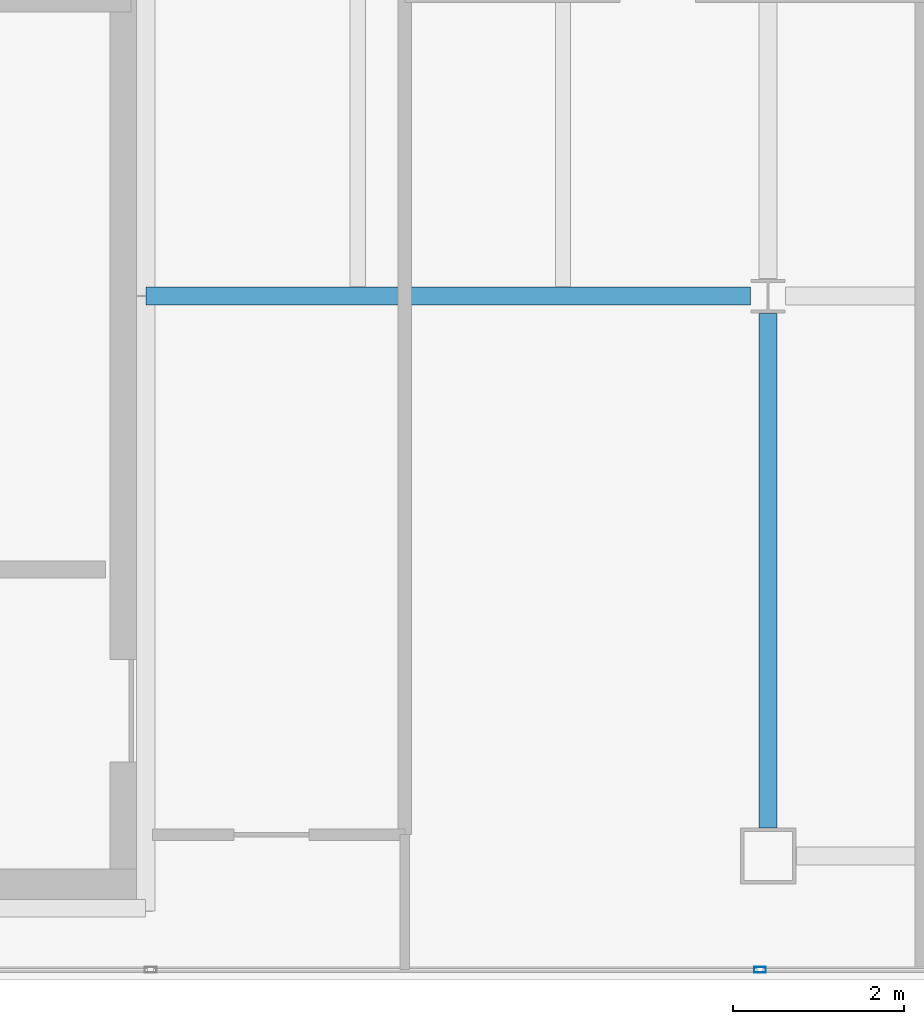
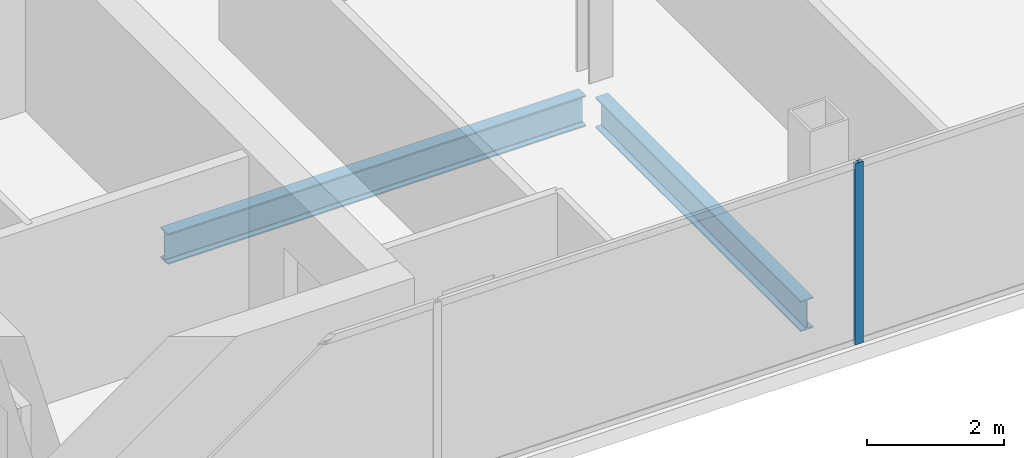
# One storey, part 5 of 23: 2 beams, 1 member, 1 element without a shape of its own.
"""IFC4 building model written with IfcOpenShell, lengths in metres."""

from ifc_helpers import new_model, si_unit, direction, frame, origin, origin_2d, place, context, subcontext, project, spatial, hollow_rectangle, i_section, extrude, material, material_profile, profile_set, type_object, element, aggregate, save


model = new_model("IFC4")

# Units and contexts
model_context = context("Model", 3, precision=1e-05, world=origin(), true_north=direction((0.0, 1.0)))
body_context = subcontext(model_context, "Body", "Model", "MODEL_VIEW")
ifc_project = project(units=[si_unit("LENGTHUNIT", "METRE"), si_unit("AREAUNIT", "SQUARE_METRE"), si_unit("VOLUMEUNIT", "CUBIC_METRE"), si_unit("PLANEANGLEUNIT", "RADIAN"), si_unit("MASSUNIT", "GRAM", prefix="KILO")], contexts=[model_context])

# Site, building, storey
site_placement = place(None, origin())
site = spatial("IfcSite", under=ifc_project, at=site_placement, CompositionType="ELEMENT")
building_placement = place(site_placement, origin())
building = spatial("IfcBuilding", under=site, at=building_placement, Name="Cobrela Telecom Tower", CompositionType="ELEMENT")
storey_placement = place(building_placement, frame((0.0, 0.0, 269.14990234375)))
storey = spatial("IfcBuildingStorey", under=building, at=storey_placement, Name="L70", CompositionType="ELEMENT", Elevation=269.14990234375)

# Beams
ifc_material_1 = material(Name="Steel ASTM A992 Grade 50", Category="steel")
ifc_material_profile_1 = material_profile(ifc_material_1, i_section(OverallWidth=0.212890625, OverallDepth=0.549072265625, WebThickness=0.0146484375, FlangeThickness=0.023681640625, FilletRadius=0.013916015625, at=origin_2d()), Name="W21X93")
ifc_profile_set_1 = profile_set([ifc_material_profile_1], Name="Steel ASTM A992 Grade 50")
beam_type = type_object("IfcBeamType", Name="BM-GIRD-08", PredefinedType="USERDEFINED", material=ifc_profile_set_1)
beam_1_placement = place(storey_placement, frame((14.324951171875, 14.39990234375, -0.534423828125), z_axis=(1.0, 0.0, 0.0), x_axis=(0.0, 1.0, 0.0)))
element("IfcBeam", 1, at=beam_1_placement, inside=storey, type_object=beam_type, Name="L70 Primary Girder X05", ObjectType="GIRDER", PredefinedType="USERDEFINED", context=body_context, shape_type="SweptSolid", body=[
    extrude(i_section(OverallWidth=0.212890625, OverallDepth=0.549072265625, WebThickness=0.0146484375, FlangeThickness=0.023681640625, FilletRadius=0.013916015625, at=origin_2d()), origin(), (0.0, 0.0, 1.0), 7.070556640625),
])
beam_2_placement = place(storey_placement, frame((21.60009765625, 8.179931640625, -0.534423828125), z_axis=(0.0, 1.0, 0.0), x_axis=(-1.0, 0.0, 0.0)))
element("IfcBeam", 2, at=beam_2_placement, inside=storey, type_object=beam_type, Name="L70 Primary Girder Y27", ObjectType="GIRDER", PredefinedType="USERDEFINED", context=body_context, shape_type="SweptSolid", body=[
    extrude(i_section(OverallWidth=0.212890625, OverallDepth=0.549072265625, WebThickness=0.0146484375, FlangeThickness=0.023681640625, FilletRadius=0.013916015625, at=origin_2d()), origin(), (0.0, 0.0, 1.0), 6.015625),
])

# Curtain wall, member
ifc_material_2 = material(Name="Anodized Bronze Aluminium 6063-T6", Category="aluminium")
curtain_wall_type = type_object("IfcCurtainWallType", Name="CW-SYS-OFF-HI", PredefinedType="USERDEFINED", material=ifc_material_2)
curtain_wall_placement = place(storey_placement, origin())
curtain_wall = element("IfcCurtainWall", 3, at=curtain_wall_placement, inside=storey, type_object=curtain_wall_type, Name="L70 Unitised Bronze Curtain Wall 15", ObjectType="UNITISED CURTAIN WALL", PredefinedType="USERDEFINED")
ifc_material_profile_2 = material_profile(ifc_material_2, hollow_rectangle(XDim=0.070068359375, YDim=0.139892578125, WallThickness=0.00390625, at=origin_2d()), Name="ALU 70x140x4")
ifc_profile_set_2 = profile_set([ifc_material_profile_2], Name="Anodized Bronze Aluminium 6063-T6")
member_type = type_object("IfcMemberType", Name="CW-SYS-OFF-HI-MUL", PredefinedType="MULLION", material=ifc_profile_set_2)
member_placement = place(storey_placement, frame((21.5048828125, 6.52001953125, 0.0), z_axis=(0.0, 0.0, 1.0), x_axis=(0.0, -1.0, 0.0)))
member = element("IfcMember", 4, at=member_placement, type_object=member_type, Name="CW-OFF-HI mullion 4", PredefinedType="MULLION", context=body_context, shape_type="SweptSolid", body=[
    extrude(hollow_rectangle(XDim=0.070068359375, YDim=0.139892578125, WallThickness=0.00390625, at=origin_2d()), origin(), (0.0, 0.0, 1.0), 3.239990234375),
])
aggregate(curtain_wall, [member])

save(model, "model.ifc")
